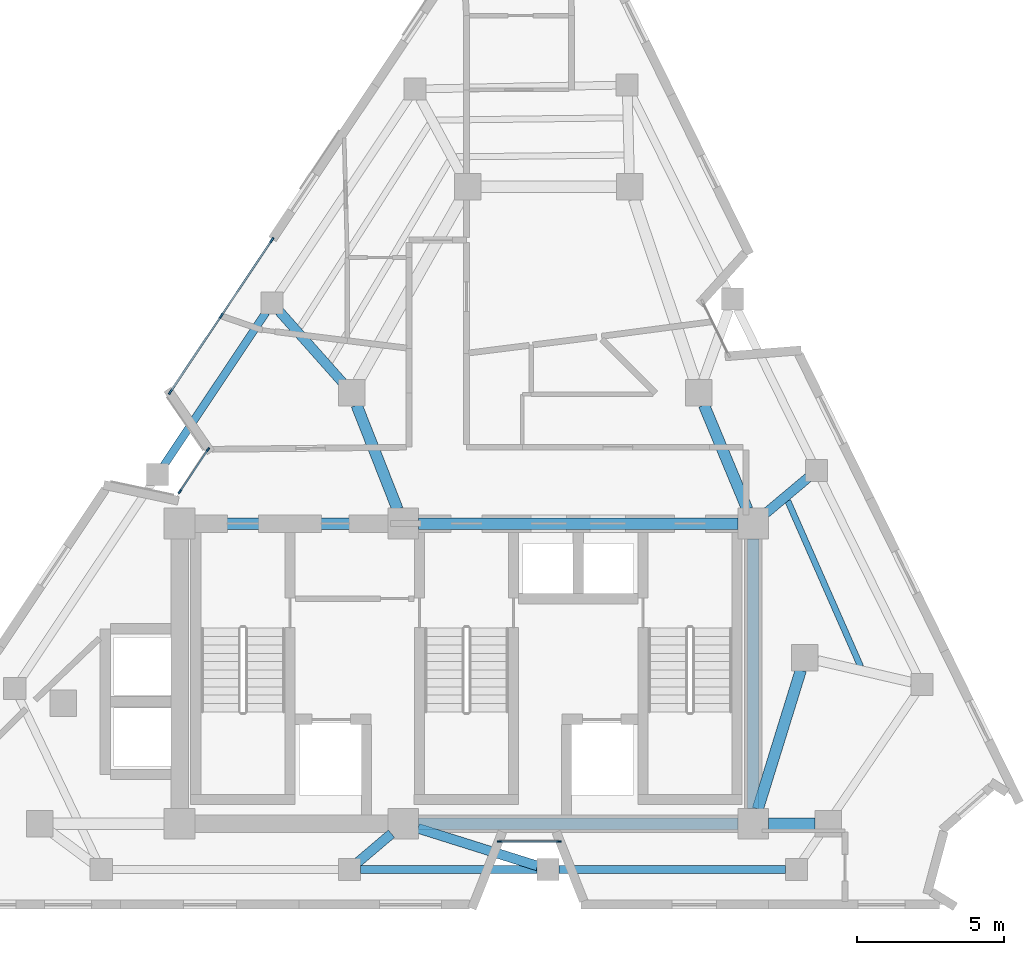
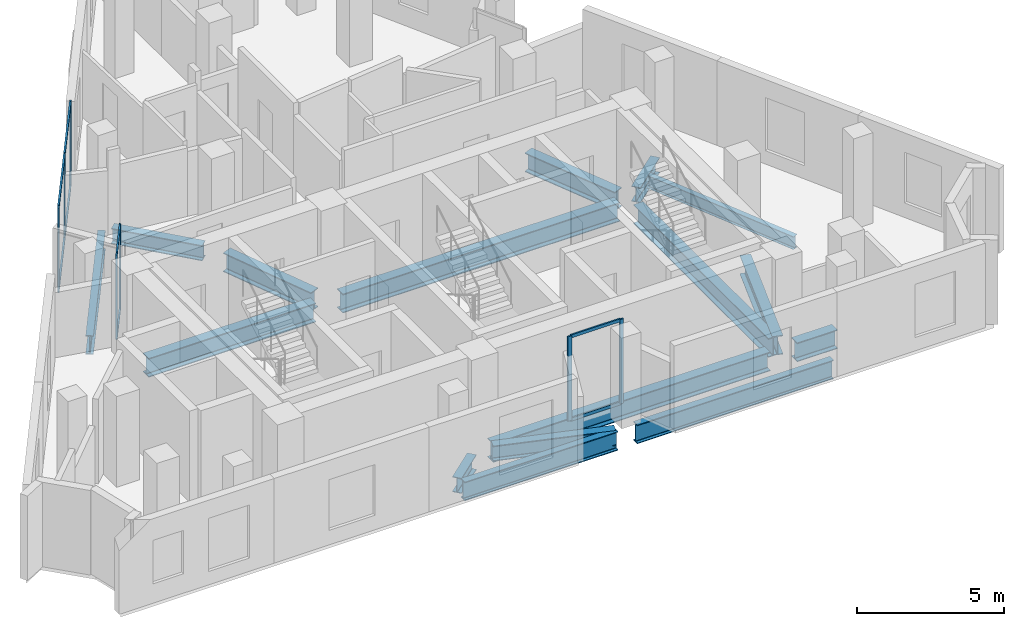
# One storey, part 2 of 8: 16 beams, 15 members, 3 elements without a shape of their own.
"""IFC4 building model written with IfcOpenShell, lengths in metres."""

from ifc_helpers import new_model, si_unit, direction, frame, origin, origin_2d, place, context, subcontext, project, spatial, rectangle, i_section, extrude, material, layer, layer_set, material_profile, profile_set, type_object, element, aggregate, save


model = new_model("IFC4")

# Units and contexts
model_context = context("Model", 3, precision=1e-05, world=origin(), true_north=direction((0.0, 1.0)))
body_context = subcontext(model_context, "Body", "Model", "MODEL_VIEW")
ifc_project = project(units=[si_unit("LENGTHUNIT", "METRE"), si_unit("AREAUNIT", "SQUARE_METRE"), si_unit("VOLUMEUNIT", "CUBIC_METRE"), si_unit("PLANEANGLEUNIT", "RADIAN"), si_unit("MASSUNIT", "GRAM", prefix="KILO")], contexts=[model_context])

# Site, building, storey
site_placement = place(None, origin())
site = spatial("IfcSite", under=ifc_project, at=site_placement, CompositionType="ELEMENT")
building_placement = place(site_placement, origin())
building = spatial("IfcBuilding", under=site, at=building_placement, Name="Almagre Mirador Tower", CompositionType="ELEMENT")
storey_placement = place(building_placement, frame((0.0, 0.0, 282.0)))
storey = spatial("IfcBuildingStorey", under=building, at=storey_placement, Name="L73", CompositionType="ELEMENT", Elevation=282.0)

# Beams
ifc_material_1 = material(Name="Steel ASTM A992 Grade 50", Category="steel")
ifc_material_profile_1 = material_profile(ifc_material_1, i_section(OverallWidth=0.208984375, OverallDepth=0.532958984375, WebThickness=0.01025390625, FlangeThickness=0.015625, FilletRadius=0.01806640625, at=origin_2d()), Name="W21X62")
ifc_profile_set_1 = profile_set([ifc_material_profile_1], Name="Steel ASTM A992 Grade 50")
beam_type_1 = type_object("IfcBeamType", Name="BM-JST-W21X62", PredefinedType="JOIST", material=ifc_profile_set_1)
beam_1_placement = place(storey_placement, frame((50.698974609375, 9.896240234375, -0.5166015625), z_axis=(-0.402662796077, 0.915348388678, 0.0), x_axis=(-0.915348388678, -0.402662796077, 0.0)))
element("IfcBeam", 1, at=beam_1_placement, inside=storey, type_object=beam_type_1, Name="L73 secondary floor joist PC05-PC06.2", PredefinedType="JOIST", context=body_context, shape_type="SweptSolid", body=[
    extrude(i_section(OverallWidth=0.208984375, OverallDepth=0.532958984375, WebThickness=0.01025390625, FlangeThickness=0.015625, FilletRadius=0.01806640625, at=origin_2d()), origin(), (0.0, 0.0, 1.0), 6.151123046875),
])
ifc_material_2 = material(Name="Steel ASTM A992 Grade 50", Category="steel")
ifc_material_profile_2 = material_profile(ifc_material_2, i_section(OverallWidth=0.26708984375, OverallDepth=0.779052734375, WebThickness=0.0166015625, FlangeThickness=0.030029296875, FilletRadius=0.02392578125, at=origin_2d()), Name="W30X148")
ifc_profile_set_2 = profile_set([ifc_material_profile_2], Name="Steel ASTM A992 Grade 50")
beam_type_2 = type_object("IfcBeamType", Name="BM-SPN-W30X148", PredefinedType="SPANDREL", material=ifc_profile_set_2)
beam_2_placement = place(storey_placement, frame((33.698974609375, 3.0, -0.639404296875), z_axis=(1.0, 0.0, 0.0), x_axis=(0.0, 1.0, 0.0)))
element("IfcBeam", 2, at=beam_2_placement, inside=storey, type_object=beam_type_2, Name="L73 perimeter spandrel beam PC02-PC03", PredefinedType="SPANDREL", context=body_context, shape_type="SweptSolid", body=[
    extrude(i_section(OverallWidth=0.26708984375, OverallDepth=0.779052734375, WebThickness=0.0166015625, FlangeThickness=0.030029296875, FilletRadius=0.02392578125, at=origin_2d()), origin(), (0.0, 0.0, 1.0), 6.001953125),
])
beam_3_placement = place(storey_placement, frame((40.450927734375, 3.0, -0.639404296875), z_axis=(1.0, 0.0, 0.0), x_axis=(0.0, 1.0, 0.0)))
element("IfcBeam", 3, at=beam_3_placement, inside=storey, type_object=beam_type_2, Name="L73 perimeter spandrel beam PC03-PC04", PredefinedType="SPANDREL", context=body_context, shape_type="SweptSolid", body=[
    extrude(i_section(OverallWidth=0.26708984375, OverallDepth=0.779052734375, WebThickness=0.0166015625, FlangeThickness=0.030029296875, FilletRadius=0.02392578125, at=origin_2d()), origin(), (0.0, 0.0, 1.0), 7.690185546875),
])
beam_4_placement = place(storey_placement, frame((30.48388671875, 21.93408203125, -0.639404296875), z_axis=(-0.555240722479, -0.831689689789, 0.0), x_axis=(0.831689689789, -0.555240722479, 0.0)))
element("IfcBeam", 4, at=beam_4_placement, inside=storey, type_object=beam_type_2, Name="L73 perimeter spandrel beam PC10-PC11", PredefinedType="SPANDREL", context=body_context, shape_type="SweptSolid", body=[
    extrude(i_section(OverallWidth=0.26708984375, OverallDepth=0.779052734375, WebThickness=0.0166015625, FlangeThickness=0.030029296875, FilletRadius=0.02392578125, at=origin_2d()), origin(), (0.0, 0.0, 1.0), 6.252685546875),
])
ifc_material_3 = material(Name="Steel ASTM A992 Grade 50", Category="steel")
ifc_material_profile_3 = material_profile(ifc_material_3, i_section(OverallWidth=0.330078125, OverallDepth=0.635009765625, WebThickness=0.017822265625, FlangeThickness=0.031005859375, FilletRadius=0.02001953125, at=origin_2d()), Name="W24X162")
ifc_profile_set_3 = profile_set([ifc_material_profile_3], Name="Steel ASTM A992 Grade 50")
beam_type_3 = type_object("IfcBeamType", Name="BM-STL-W24X162", PredefinedType="BEAM", material=ifc_profile_set_3)
beam_5_placement = place(storey_placement, frame((33.60986328125, 3.24267578125, -0.5673828125), z_axis=(0.762394394192, 0.647112654569, 0.0), x_axis=(-0.647112654569, 0.762394394192, 0.0)))
element("IfcBeam", 5, at=beam_5_placement, inside=storey, type_object=beam_type_3, Name="L73 radial floor girder PC02-CC2", PredefinedType="BEAM", context=body_context, shape_type="SweptSolid", body=[
    extrude(i_section(OverallWidth=0.330078125, OverallDepth=0.635009765625, WebThickness=0.017822265625, FlangeThickness=0.031005859375, FilletRadius=0.02001953125, at=origin_2d()), origin(), (0.0, 0.0, 1.0), 1.4951171875),
])
beam_6_placement = place(storey_placement, frame((39.71826171875, 3.112548828125, -0.5673828125), z_axis=(-0.953895402065, 0.300139237553, 0.0), x_axis=(-0.300139237553, -0.953895402065, 0.0)))
element("IfcBeam", 6, at=beam_6_placement, inside=storey, type_object=beam_type_3, Name="L73 radial floor girder PC03-CC2", PredefinedType="BEAM", context=body_context, shape_type="SweptSolid", body=[
    extrude(i_section(OverallWidth=0.330078125, OverallDepth=0.635009765625, WebThickness=0.017822265625, FlangeThickness=0.031005859375, FilletRadius=0.02001953125, at=origin_2d()), origin(), (0.0, 0.0, 1.0), 4.263916015625),
])
beam_7_placement = place(storey_placement, frame((48.917724609375, 16.31689453125, -0.5673828125), z_axis=(-0.766114512284, -0.642704095263, 0.0), x_axis=(0.642704095263, -0.766114512284, 0.0)))
element("IfcBeam", 7, at=beam_7_placement, inside=storey, type_object=beam_type_3, Name="L73 radial floor girder PC06-CC6", PredefinedType="BEAM", context=body_context, shape_type="SweptSolid", body=[
    extrude(i_section(OverallWidth=0.330078125, OverallDepth=0.635009765625, WebThickness=0.017822265625, FlangeThickness=0.031005859375, FilletRadius=0.02001953125, at=origin_2d()), origin(), (0.0, 0.0, 1.0), 1.9130859375),
])
beam_8_placement = place(storey_placement, frame((30.941162109375, 21.9658203125, -0.5673828125), z_axis=(0.664433759144, -0.747347161438, 0.0), x_axis=(0.747347161438, 0.664433759144, 0.0)))
element("IfcBeam", 8, at=beam_8_placement, inside=storey, type_object=beam_type_3, Name="L73 radial floor girder PC10-MC8", PredefinedType="BEAM", context=body_context, shape_type="SweptSolid", body=[
    extrude(i_section(OverallWidth=0.330078125, OverallDepth=0.635009765625, WebThickness=0.017822265625, FlangeThickness=0.031005859375, FilletRadius=0.02001953125, at=origin_2d()), origin(), (0.0, 0.0, 1.0), 3.250732421875),
])
ifc_material_4 = material(Name="Steel ASTM A992 Grade 50", Category="steel")
ifc_material_profile_4 = material_profile(ifc_material_4, i_section(OverallWidth=0.384033203125, OverallDepth=0.784912109375, WebThickness=0.019775390625, FlangeThickness=0.033447265625, FilletRadius=0.02392578125, at=origin_2d()), Name="W30X211")
ifc_profile_set_4 = profile_set([ifc_material_profile_4], Name="Steel ASTM A992 Grade 50")
beam_type_4 = type_object("IfcBeamType", Name="BM-STL-W30X211", PredefinedType="BEAM", material=ifc_profile_set_4)
beam_9_placement = place(storey_placement, frame((35.675048828125, 4.550048828125, -0.642578125), z_axis=(1.0, 0.0, 0.0), x_axis=(0.0, 1.0, 0.0)))
element("IfcBeam", 9, at=beam_9_placement, inside=storey, type_object=beam_type_4, Name="L73 core tie girder CC2-CC3", PredefinedType="BEAM", context=body_context, shape_type="SweptSolid", body=[
    extrude(i_section(OverallWidth=0.384033203125, OverallDepth=0.784912109375, WebThickness=0.019775390625, FlangeThickness=0.033447265625, FilletRadius=0.02392578125, at=origin_2d()), origin(), (0.0, 0.0, 1.0), 10.849853515625),
])
beam_10_placement = place(storey_placement, frame((28.074951171875, 14.75, -0.642578125), z_axis=(1.0, 0.0, 0.0), x_axis=(0.0, 1.0, 0.0)))
element("IfcBeam", 10, at=beam_10_placement, inside=storey, type_object=beam_type_4, Name="L73 core tie girder CC4-CC5", PredefinedType="BEAM", context=body_context, shape_type="SweptSolid", body=[
    extrude(i_section(OverallWidth=0.384033203125, OverallDepth=0.784912109375, WebThickness=0.019775390625, FlangeThickness=0.033447265625, FilletRadius=0.02392578125, at=origin_2d()), origin(), (0.0, 0.0, 1.0), 6.550048828125),
])
beam_11_placement = place(storey_placement, frame((35.675048828125, 14.75, -0.642578125), z_axis=(1.0, 0.0, 0.0), x_axis=(0.0, 1.0, 0.0)))
element("IfcBeam", 11, at=beam_11_placement, inside=storey, type_object=beam_type_4, Name="L73 core tie girder CC5-CC6", PredefinedType="BEAM", context=body_context, shape_type="SweptSolid", body=[
    extrude(i_section(OverallWidth=0.384033203125, OverallDepth=0.784912109375, WebThickness=0.019775390625, FlangeThickness=0.033447265625, FilletRadius=0.02392578125, at=origin_2d()), origin(), (0.0, 0.0, 1.0), 10.849853515625),
])
beam_12_placement = place(storey_placement, frame((47.050048828125, 5.074951171875, -0.642578125), z_axis=(0.0, 1.0, 0.0), x_axis=(-1.0, 0.0, 0.0)))
element("IfcBeam", 12, at=beam_12_placement, inside=storey, type_object=beam_type_4, Name="L73 core tie girder CC3-CC6", PredefinedType="BEAM", context=body_context, shape_type="SweptSolid", body=[
    extrude(i_section(OverallWidth=0.384033203125, OverallDepth=0.784912109375, WebThickness=0.019775390625, FlangeThickness=0.033447265625, FilletRadius=0.02392578125, at=origin_2d()), origin(), (0.0, 0.0, 1.0), 9.150146484375),
])
beam_13_placement = place(storey_placement, frame((49.14990234375, 4.550048828125, -0.642578125), z_axis=(-1.0, 0.0, 0.0), x_axis=(0.0, -1.0, 0.0)))
element("IfcBeam", 13, at=beam_13_placement, inside=storey, type_object=beam_type_4, Name="L73 core tie girder MC2-CC3", PredefinedType="BEAM", context=body_context, shape_type="SweptSolid", body=[
    extrude(i_section(OverallWidth=0.384033203125, OverallDepth=0.784912109375, WebThickness=0.019775390625, FlangeThickness=0.033447265625, FilletRadius=0.02392578125, at=origin_2d()), origin(), (0.0, 0.0, 1.0), 1.574951171875),
])
beam_14_placement = place(storey_placement, frame((48.6669921875, 9.77001953125, -0.642578125), z_axis=(-0.295901717967, -0.955218390372, 0.0), x_axis=(0.955218390372, -0.295901717967, 0.0)))
element("IfcBeam", 14, at=beam_14_placement, inside=storey, type_object=beam_type_4, Name="L73 core tie girder MC3-CC3", PredefinedType="BEAM", context=body_context, shape_type="SweptSolid", body=[
    extrude(i_section(OverallWidth=0.384033203125, OverallDepth=0.784912109375, WebThickness=0.019775390625, FlangeThickness=0.033447265625, FilletRadius=0.02392578125, at=origin_2d()), origin(), (0.0, 0.0, 1.0), 4.939697265625),
])
beam_15_placement = place(storey_placement, frame((45.372802734375, 18.784423828125, -0.642578125), z_axis=(0.383862140668, -0.923390414159, 0.0), x_axis=(0.923390414159, 0.383862140668, 0.0)))
element("IfcBeam", 15, at=beam_15_placement, inside=storey, type_object=beam_type_4, Name="L73 core tie girder MC5-CC6", PredefinedType="BEAM", context=body_context, shape_type="SweptSolid", body=[
    extrude(i_section(OverallWidth=0.384033203125, OverallDepth=0.784912109375, WebThickness=0.019775390625, FlangeThickness=0.033447265625, FilletRadius=0.02392578125, at=origin_2d()), origin(), (0.0, 0.0, 1.0), 3.843994140625),
])
beam_16_placement = place(storey_placement, frame((33.564697265625, 18.78125, -0.642578125), z_axis=(0.365999579355, -0.93061501595, 0.0), x_axis=(0.93061501595, 0.365999579355, 0.0)))
element("IfcBeam", 16, at=beam_16_placement, inside=storey, type_object=beam_type_4, Name="L73 core tie girder MC8-CC5", PredefinedType="BEAM", context=body_context, shape_type="SweptSolid", body=[
    extrude(i_section(OverallWidth=0.384033203125, OverallDepth=0.784912109375, WebThickness=0.019775390625, FlangeThickness=0.033447265625, FilletRadius=0.02392578125, at=origin_2d()), origin(), (0.0, 0.0, 1.0), 3.806884765625),
])

# Curtain wall, members
ifc_material_5 = material(Name="Black anodized aluminium", Category="aluminium")
ifc_layer_1 = layer(ifc_material_5, 0.169921875)
ifc_layer_set_1 = layer_set([ifc_layer_1], Name="Black anodized aluminium")
curtain_wall_type_1 = type_object("IfcCurtainWallType", Name="CW-CRS-SYS", PredefinedType="NOTDEFINED", material=ifc_layer_set_1)
curtain_wall_1_placement = place(storey_placement, origin())
curtain_wall_1 = element("IfcCurtainWall", 17, at=curtain_wall_1_placement, inside=storey, type_object=curtain_wall_type_1, Name="L73 vertical crease curtain wall 01", PredefinedType="NOTDEFINED")
ifc_material_6 = material(Name="Black anodized aluminium", Category="aluminium")
ifc_material_profile_5 = material_profile(ifc_material_6, rectangle(XDim=0.06005859375, YDim=0.14990234375, at=origin_2d()), Name="CWM60X150")
ifc_profile_set_5 = profile_set([ifc_material_profile_5], Name="Black anodized aluminium")
member_type_1 = type_object("IfcMemberType", Name="MBR-CWM60X150", PredefinedType="MULLION", material=ifc_profile_set_5)
member_1_placement = place(storey_placement, frame((27.56005859375, 15.84326171875, 0.0), z_axis=(0.0, 0.0, 1.0), x_axis=(-0.831677755211, 0.555258598751, 0.0)))
member_1 = element("IfcMember", 18, at=member_1_placement, type_object=member_type_1, Name="CW-4 mullion 1", PredefinedType="MULLION", context=body_context, shape_type="SweptSolid", body=[
    extrude(rectangle(XDim=0.06005859375, YDim=0.14990234375, at=origin_2d()), origin(), (0.0, 0.0, 1.0), 3.5),
])
member_2_placement = place(storey_placement, frame((28.513427734375, 17.27099609375, 0.0), z_axis=(0.0, 0.0, 1.0), x_axis=(-0.831677755211, 0.555258598751, 0.0)))
member_2 = element("IfcMember", 19, at=member_2_placement, type_object=member_type_1, Name="CW-4 mullion 2", PredefinedType="MULLION", context=body_context, shape_type="SweptSolid", body=[
    extrude(rectangle(XDim=0.06005859375, YDim=0.14990234375, at=origin_2d()), origin(), (0.0, 0.0, 1.0), 3.5),
])

curtain_wall_2_placement = place(storey_placement, origin())
curtain_wall_2 = element("IfcCurtainWall", 20, at=curtain_wall_2_placement, inside=storey, type_object=curtain_wall_type_1, Name="L73 vertical crease curtain wall 04", PredefinedType="NOTDEFINED")
member_3_placement = place(storey_placement, frame((40.450927734375, 3.949951171875, 0.0), z_axis=(0.0, 0.0, 1.0), x_axis=(0.0, -1.0, 0.0)))
member_3 = element("IfcMember", 21, at=member_3_placement, type_object=member_type_1, Name="CW-4 mullion 1", PredefinedType="MULLION", context=body_context, shape_type="SweptSolid", body=[
    extrude(rectangle(XDim=0.06005859375, YDim=0.14990234375, at=origin_2d()), origin(), (0.0, 0.0, 1.0), 3.5),
])
member_4_placement = place(storey_placement, frame((38.4208984375, 3.949951171875, 0.0), z_axis=(0.0, 0.0, 1.0), x_axis=(0.0, -1.0, 0.0)))
member_4 = element("IfcMember", 22, at=member_4_placement, type_object=member_type_1, Name="CW-4 mullion 2", PredefinedType="MULLION", context=body_context, shape_type="SweptSolid", body=[
    extrude(rectangle(XDim=0.06005859375, YDim=0.14990234375, at=origin_2d()), origin(), (0.0, 0.0, 1.0), 3.5),
])

ifc_material_7 = material(Name="Black anodized aluminium", Category="aluminium")
ifc_layer_2 = layer(ifc_material_7, 0.199951171875)
ifc_layer_set_2 = layer_set([ifc_layer_2], Name="Black anodized aluminium")
curtain_wall_type_2 = type_object("IfcCurtainWallType", Name="CW-RES-H-SYS", PredefinedType="NOTDEFINED", material=ifc_layer_set_2)
curtain_wall_3_placement = place(storey_placement, origin())
curtain_wall_3 = element("IfcCurtainWall", 23, at=curtain_wall_3_placement, inside=storey, type_object=curtain_wall_type_2, Name="L73 curtain wall run 02", PredefinedType="NOTDEFINED")
ifc_material_8 = material(Name="Black anodized aluminium", Category="aluminium")
ifc_material_profile_6 = material_profile(ifc_material_8, rectangle(XDim=0.06494140625, YDim=0.179931640625, at=origin_2d()), Name="CWM65X180")
ifc_profile_set_6 = profile_set([ifc_material_profile_6], Name="Black anodized aluminium")
member_type_2 = type_object("IfcMemberType", Name="MBR-CWM65X180", PredefinedType="MULLION", material=ifc_profile_set_6)
member_5_placement = place(storey_placement, frame((27.234130859375, 19.22802734375, 0.0), z_axis=(0.0, 0.0, 1.0), x_axis=(-0.831680266891, 0.555254836687, 0.0)))
member_5 = element("IfcMember", 24, at=member_5_placement, type_object=member_type_2, Name="CW-3 mullion 1", PredefinedType="MULLION", context=body_context, shape_type="SweptSolid", body=[
    extrude(rectangle(XDim=0.06494140625, YDim=0.179931640625, at=origin_2d()), origin(), (0.0, 0.0, 1.0), 3.5),
])
member_6_placement = place(storey_placement, frame((28.9599609375, 21.81298828125, 0.0), z_axis=(0.0, 0.0, 1.0), x_axis=(-0.831680266891, 0.555254836687, 0.0)))
member_6 = element("IfcMember", 25, at=member_6_placement, type_object=member_type_2, Name="CW-3 mullion 2", PredefinedType="MULLION", context=body_context, shape_type="SweptSolid", body=[
    extrude(rectangle(XDim=0.06494140625, YDim=0.179931640625, at=origin_2d()), origin(), (0.0, 0.0, 1.0), 3.5),
])
member_7_placement = place(storey_placement, frame((30.685546875, 24.39794921875, 0.0), z_axis=(0.0, 0.0, 1.0), x_axis=(-0.831680266891, 0.555254836687, 0.0)))
member_7 = element("IfcMember", 26, at=member_7_placement, type_object=member_type_2, Name="CW-3 mullion 3", PredefinedType="MULLION", context=body_context, shape_type="SweptSolid", body=[
    extrude(rectangle(XDim=0.06494140625, YDim=0.179931640625, at=origin_2d()), origin(), (0.0, 0.0, 1.0), 3.5),
])

# Member
ifc_material_9 = material(Name="Black anodized aluminium", Category="aluminium")
ifc_material_profile_7 = material_profile(ifc_material_9, rectangle(XDim=0.06005859375, YDim=0.1298828125, at=origin_2d()), Name="CWT60X130")
ifc_profile_set_7 = profile_set([ifc_material_profile_7], Name="Black anodized aluminium")
member_type_3 = type_object("IfcMemberType", Name="MBR-CWT60X130", PredefinedType="USERDEFINED", material=ifc_profile_set_7)
member_8_placement = place(storey_placement, frame((27.576904296875, 15.868408203125, 0.030029296875), z_axis=(0.555210280889, 0.831710011961, 0.0), x_axis=(-0.831710011961, 0.555210280889, 0.0)))
member_8 = element("IfcMember", 27, at=member_8_placement, type_object=member_type_3, Name="CW-4 transom 1.1", ObjectType="TRANSOM", PredefinedType="USERDEFINED", context=body_context, shape_type="SweptSolid", body=[
    extrude(rectangle(XDim=0.06005859375, YDim=0.1298828125, at=origin_2d()), origin(), (0.0, 0.0, 1.0), 1.656494140625),
])

member_9_placement = place(storey_placement, frame((27.576904296875, 15.868408203125, 3.469970703125), z_axis=(0.555210280889, 0.831710011961, 0.0), x_axis=(-0.831710011961, 0.555210280889, 0.0)))
member_9 = element("IfcMember", 28, at=member_9_placement, type_object=member_type_3, Name="CW-4 transom 1.2", ObjectType="TRANSOM", PredefinedType="USERDEFINED", context=body_context, shape_type="SweptSolid", body=[
    extrude(rectangle(XDim=0.06005859375, YDim=0.1298828125, at=origin_2d()), origin(), (0.0, 0.0, 1.0), 1.656494140625),
])

aggregate(curtain_wall_1, [member_1, member_2, member_8, member_9])

member_10_placement = place(storey_placement, frame((40.4208984375, 3.949951171875, 0.030029296875), z_axis=(-1.0, 0.0, 0.0), x_axis=(0.0, -1.0, 0.0)))
member_10 = element("IfcMember", 29, at=member_10_placement, type_object=member_type_3, Name="CW-4 transom 1.1", ObjectType="TRANSOM", PredefinedType="USERDEFINED", context=body_context, shape_type="SweptSolid", body=[
    extrude(rectangle(XDim=0.06005859375, YDim=0.1298828125, at=origin_2d()), origin(), (0.0, 0.0, 1.0), 1.969970703125),
])

member_11_placement = place(storey_placement, frame((40.4208984375, 3.949951171875, 3.469970703125), z_axis=(-1.0, 0.0, 0.0), x_axis=(0.0, -1.0, 0.0)))
member_11 = element("IfcMember", 30, at=member_11_placement, type_object=member_type_3, Name="CW-4 transom 1.2", ObjectType="TRANSOM", PredefinedType="USERDEFINED", context=body_context, shape_type="SweptSolid", body=[
    extrude(rectangle(XDim=0.06005859375, YDim=0.1298828125, at=origin_2d()), origin(), (0.0, 0.0, 1.0), 1.969970703125),
])

aggregate(curtain_wall_2, [member_3, member_4, member_10, member_11])

ifc_material_10 = material(Name="Black anodized aluminium", Category="aluminium")
ifc_material_profile_8 = material_profile(ifc_material_10, rectangle(XDim=0.06494140625, YDim=0.14990234375, at=origin_2d()), Name="CWT65X150")
ifc_profile_set_8 = profile_set([ifc_material_profile_8], Name="Black anodized aluminium")
member_type_4 = type_object("IfcMemberType", Name="MBR-CWT65X150", PredefinedType="USERDEFINED", material=ifc_profile_set_8)
member_12_placement = place(storey_placement, frame((27.252197265625, 19.255126953125, 0.032470703125), z_axis=(0.555274019592, 0.831667459485, 0.0), x_axis=(-0.831667459485, 0.555274019592, 0.0)))
member_12 = element("IfcMember", 31, at=member_12_placement, type_object=member_type_4, Name="CW-3 transom 1.1", ObjectType="TRANSOM", PredefinedType="USERDEFINED", context=body_context, shape_type="SweptSolid", body=[
    extrude(rectangle(XDim=0.06494140625, YDim=0.14990234375, at=origin_2d()), origin(), (0.0, 0.0, 1.0), 3.04296875),
])

member_13_placement = place(storey_placement, frame((27.252197265625, 19.255126953125, 3.467529296875), z_axis=(0.555274019592, 0.831667459485, 0.0), x_axis=(-0.831667459485, 0.555274019592, 0.0)))
member_13 = element("IfcMember", 32, at=member_13_placement, type_object=member_type_4, Name="CW-3 transom 1.2", ObjectType="TRANSOM", PredefinedType="USERDEFINED", context=body_context, shape_type="SweptSolid", body=[
    extrude(rectangle(XDim=0.06494140625, YDim=0.14990234375, at=origin_2d()), origin(), (0.0, 0.0, 1.0), 3.04296875),
])

member_14_placement = place(storey_placement, frame((28.977783203125, 21.840087890625, 0.032470703125), z_axis=(0.555329508848, 0.831630408657, 0.0), x_axis=(-0.831630408657, 0.555329508848, 0.0)))
member_14 = element("IfcMember", 33, at=member_14_placement, type_object=member_type_4, Name="CW-3 transom 2.1", ObjectType="TRANSOM", PredefinedType="USERDEFINED", context=body_context, shape_type="SweptSolid", body=[
    extrude(rectangle(XDim=0.06494140625, YDim=0.14990234375, at=origin_2d()), origin(), (0.0, 0.0, 1.0), 3.043212890625),
])

member_15_placement = place(storey_placement, frame((28.977783203125, 21.840087890625, 3.467529296875), z_axis=(0.555329508848, 0.831630408657, 0.0), x_axis=(-0.831630408657, 0.555329508848, 0.0)))
member_15 = element("IfcMember", 34, at=member_15_placement, type_object=member_type_4, Name="CW-3 transom 2.2", ObjectType="TRANSOM", PredefinedType="USERDEFINED", context=body_context, shape_type="SweptSolid", body=[
    extrude(rectangle(XDim=0.06494140625, YDim=0.14990234375, at=origin_2d()), origin(), (0.0, 0.0, 1.0), 3.043212890625),
])

aggregate(curtain_wall_3, [member_5, member_6, member_7, member_12, member_13, member_14, member_15])

save(model, "model.ifc")
